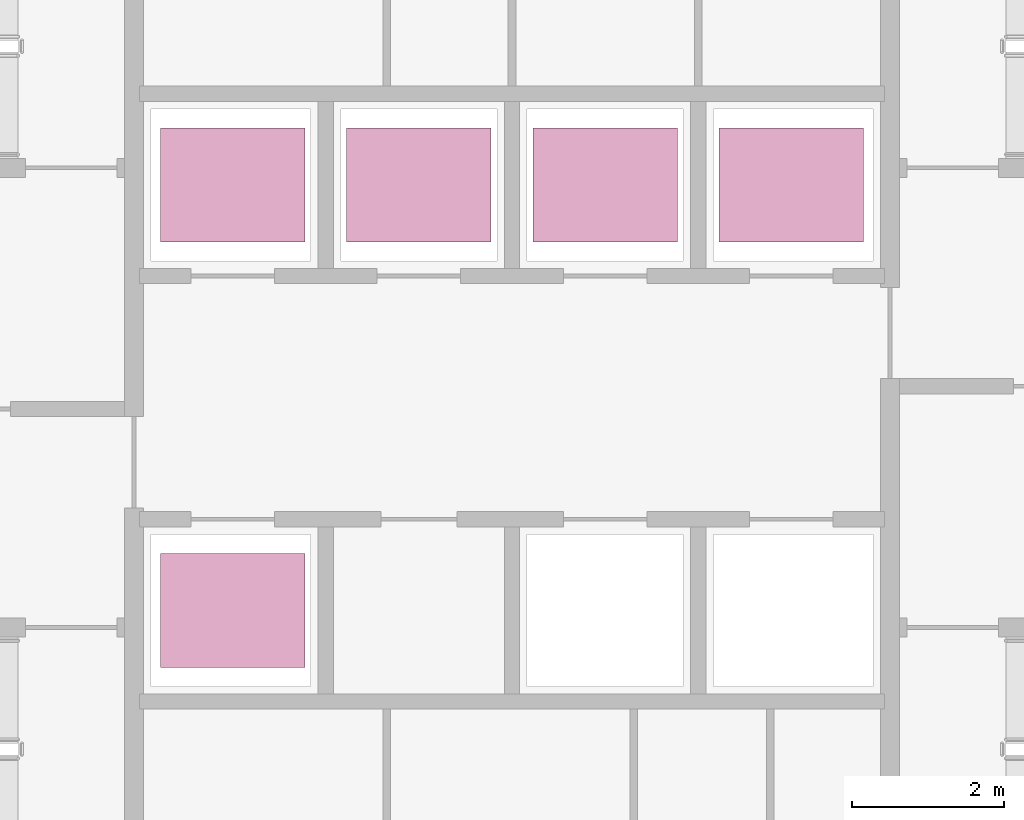
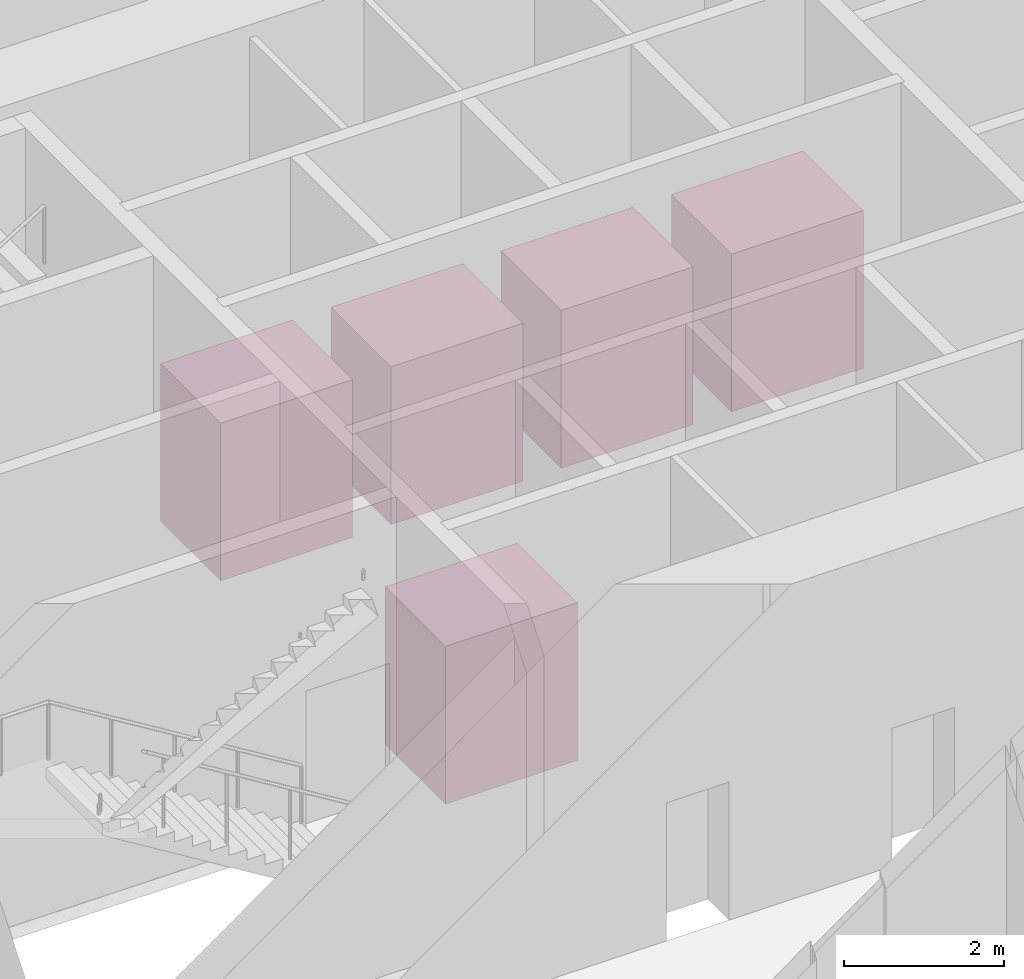
# One storey, part 16 of 16: 5 transport elements.
"""IFC4 building model written with IfcOpenShell, lengths in metres."""

from ifc_helpers import new_model, si_unit, direction, frame, origin, origin_2d, place, context, subcontext, project, spatial, rectangle, extrude, material, type_object, element, save


model = new_model("IFC4")

# Units and contexts
model_context = context("Model", 3, precision=1e-05, world=origin(), true_north=direction((0.0, 1.0)))
body_context = subcontext(model_context, "Body", "Model", "MODEL_VIEW")
ifc_project = project(units=[si_unit("LENGTHUNIT", "METRE"), si_unit("AREAUNIT", "SQUARE_METRE"), si_unit("VOLUMEUNIT", "CUBIC_METRE"), si_unit("PLANEANGLEUNIT", "RADIAN"), si_unit("MASSUNIT", "GRAM", prefix="KILO")], contexts=[model_context])

# Site, building, storey
site_placement = place(None, origin())
site = spatial("IfcSite", under=ifc_project, at=site_placement, CompositionType="ELEMENT")
building_placement = place(site_placement, origin())
building = spatial("IfcBuilding", under=site, at=building_placement, Name="Rubra Terraces Tower", CompositionType="ELEMENT")
storey_placement = place(building_placement, frame((0.0, 0.0, 125.699951171875)))
storey = spatial("IfcBuildingStorey", under=building, at=storey_placement, Name="L30", CompositionType="ELEMENT", Elevation=125.699951171875)

# Transport elements
ifc_material = material(Name="Stainless steel", Category="steel")
transport_element_type = type_object("IfcTransportElementType", Name="Passenger lift 1350 kg", PredefinedType="ELEVATOR", material=ifc_material)
for number, where, z_axis, x_axis, name in (
    (1, (-3.675048828125, 1.699951171875, 0.0), (0.0, 0.0, 1.0), (1.0, 0.0, 0.0), "Lift HB1 car"),
    (2, (-3.675048828125, 7.300048828125, 0.0), (0.0, 0.0, 1.0), (1.0, 0.0, 0.0), "Lift HB3 car"),
    (3, (-1.22509765625, 7.300048828125, 0.0), (0.0, 0.0, 1.0), (1.0, 0.0, 0.0), "Lift HB4 car"),
    (4, (1.22509765625, 7.300048828125, 0.0), (0.0, 0.0, 1.0), (1.0, 0.0, 0.0), "Lift HB5 car"),
    (5, (3.675048828125, 7.300048828125, 0.0), (0.0, 0.0, 1.0), (1.0, 0.0, 0.0), "Lift HB6 car"),
):
    element("IfcTransportElement", number, at=place(storey_placement, frame(where, z_axis=z_axis, x_axis=x_axis)), inside=storey, type_object=transport_element_type, Name=name, PredefinedType="ELEVATOR", context=body_context, shape_type="SweptSolid", body=[
        extrude(rectangle(XDim=1.89990234375, YDim=1.5, at=origin_2d()), origin(), (0.0, 0.0, 1.0), 2.39990234375),
    ])

save(model, "model.ifc")
